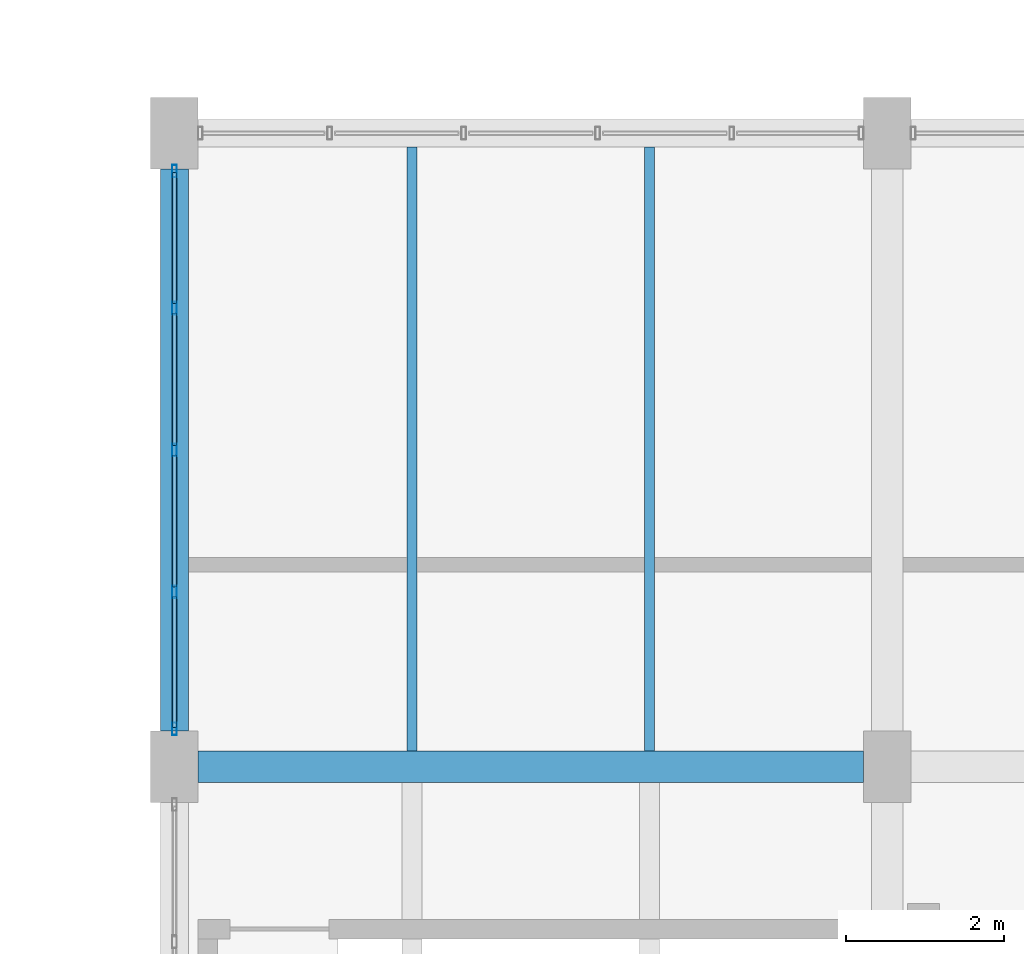
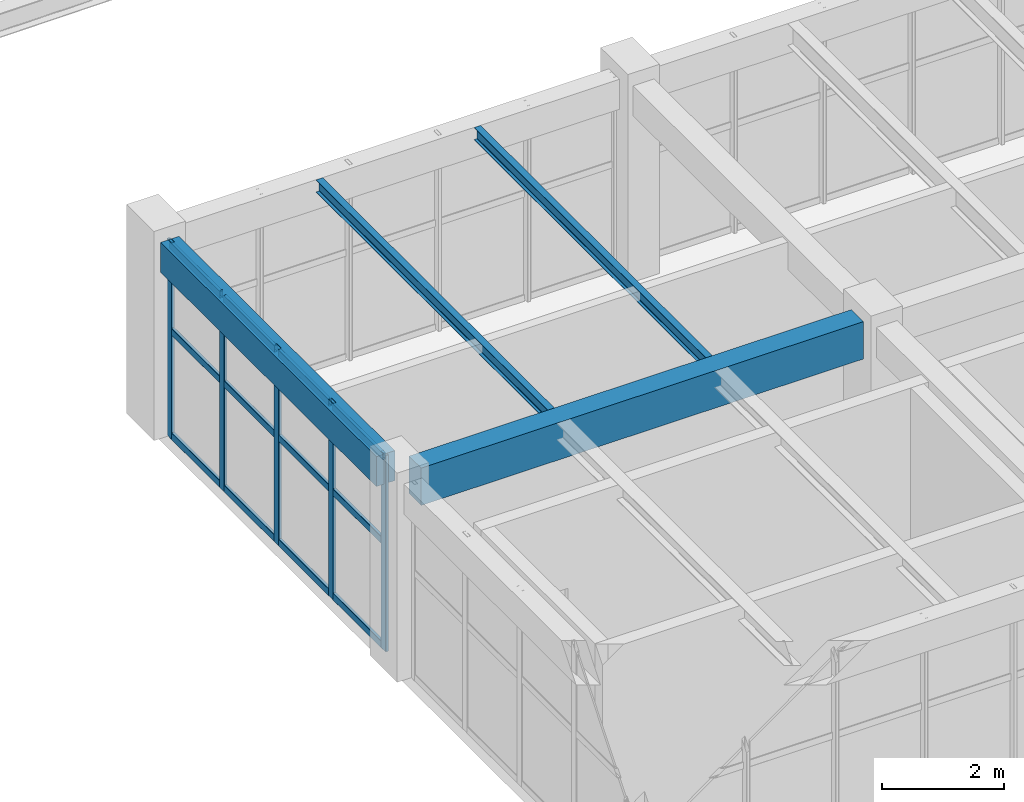
# One storey, part 11 of 148: 17 members, 4 beams, 1 element without a shape of its own.
"""IFC4 building model written with IfcOpenShell, lengths in metres."""

from ifc_helpers import new_model, si_unit, derived_unit, direction, frame, origin, origin_2d, place, context, subcontext, project, spatial, rectangle, hollow_rectangle, i_section, extrude, material, material_profile, profile_set, type_object, element, aggregate, save


model = new_model("IFC4")

# Units and contexts
model_context = context("Model", 3, precision=1e-05, world=origin(), true_north=direction((0.0, 1.0)))
body_context = subcontext(model_context, "Body", "Model", "MODEL_VIEW")
ifc_project = project(units=[si_unit("LENGTHUNIT", "METRE"), si_unit("AREAUNIT", "SQUARE_METRE"), si_unit("VOLUMEUNIT", "CUBIC_METRE"), si_unit("PLANEANGLEUNIT", "RADIAN"), si_unit("MASSUNIT", "GRAM", prefix="KILO"), derived_unit("THERMALTRANSMITTANCEUNIT", [(si_unit("MASSUNIT", "GRAM", prefix="KILO"), 1), (si_unit("TIMEUNIT", "SECOND"), -3), (si_unit("THERMODYNAMICTEMPERATUREUNIT", "KELVIN"), -1)])], contexts=[model_context])

# Site, building, storey
site_placement = place(None, origin())
site = spatial("IfcSite", under=ifc_project, at=site_placement, CompositionType="ELEMENT")
building_placement = place(site_placement, origin())
building = spatial("IfcBuilding", under=site, at=building_placement, Name="Zhenchuan Archway Interchange", CompositionType="ELEMENT")
storey_placement = place(building_placement, frame((0.0, 0.0, 10.199951171875)))
storey = spatial("IfcBuildingStorey", under=building, at=storey_placement, Name="L02", CompositionType="ELEMENT", Elevation=10.199951171875)

# Beam
ifc_material_1 = material(Name="Concrete C40", Category="concrete")
ifc_material_profile_1 = material_profile(ifc_material_1, rectangle(XDim=0.39990234375, YDim=0.75, at=origin_2d()), Name="RC 400x750")
ifc_profile_set_1 = profile_set([ifc_material_profile_1], Name="Concrete C40")
beam_type_1 = type_object("IfcBeamType", Name="BM_RC_400x750", PredefinedType="BEAM", material=ifc_profile_set_1)
beam_1_placement = place(storey_placement, frame((0.300048828125, 8.0, 3.56494140625), z_axis=(1.0, 0.0, 0.0), x_axis=(0.0, 1.0, 0.0)))
element("IfcBeam", 1, at=beam_1_placement, inside=storey, type_object=beam_type_1, Name="Beam B:1-2 (L02)", PredefinedType="BEAM", context=body_context, shape_type="SweptSolid", body=[
    extrude(rectangle(XDim=0.39990234375, YDim=0.75, at=origin_2d()), origin(), (0.0, 0.0, 1.0), 8.39990234375),
])

# Curtain wall, members
ifc_material_2 = material(Name="Anodised Aluminium", Category="aluminium")
curtain_wall_type = type_object("IfcCurtainWallType", Name="CW_UNIT_3", PredefinedType="NOTDEFINED", material=ifc_material_2)
curtain_wall_placement = place(storey_placement, origin())
curtain_wall = element("IfcCurtainWall", 2, at=curtain_wall_placement, inside=storey, type_object=curtain_wall_type, Name="Unitised curtain wall CW:L02:110", PredefinedType="NOTDEFINED")
ifc_material_profile_2 = material_profile(ifc_material_2, hollow_rectangle(XDim=0.06005859375, YDim=0.159912109375, WallThickness=0.00390625, InnerFilletRadius=0.00390625, OuterFilletRadius=0.008056640625, at=origin_2d()), Name="ALU 160x60x4")
ifc_profile_set_2 = profile_set([ifc_material_profile_2], Name="Anodised Aluminium")
member_type_1 = type_object("IfcMemberType", Name="CW_MUL_150", PredefinedType="MULLION", material=ifc_profile_set_2)
member_1_placement = place(storey_placement, frame((0.0, 8.47802734375, 0.0), z_axis=(0.0, 0.0, 1.0), x_axis=(1.0, 0.0, 0.0)))
member_1 = element("IfcMember", 3, at=member_1_placement, type_object=member_type_1, Name="CW:L02:110 mullion 0", PredefinedType="MULLION", context=body_context, shape_type="SweptSolid", body=[
    extrude(hollow_rectangle(XDim=0.06005859375, YDim=0.159912109375, WallThickness=0.00390625, InnerFilletRadius=0.00390625, OuterFilletRadius=0.008056640625, at=origin_2d()), origin(), (0.0, 0.0, 1.0), 3.93994140625),
])
member_2_placement = place(storey_placement, frame((0.0, 10.208984375, 0.0), z_axis=(0.0, 0.0, 1.0), x_axis=(1.0, 0.0, 0.0)))
member_2 = element("IfcMember", 4, at=member_2_placement, type_object=member_type_1, Name="CW:L02:110 mullion 1", PredefinedType="MULLION", context=body_context, shape_type="SweptSolid", body=[
    extrude(hollow_rectangle(XDim=0.06005859375, YDim=0.159912109375, WallThickness=0.00390625, InnerFilletRadius=0.00390625, OuterFilletRadius=0.008056640625, at=origin_2d()), origin(), (0.0, 0.0, 1.0), 3.93994140625),
])
member_3_placement = place(storey_placement, frame((0.0, 12.0, 0.0), z_axis=(0.0, 0.0, 1.0), x_axis=(1.0, 0.0, 0.0)))
member_3 = element("IfcMember", 5, at=member_3_placement, type_object=member_type_1, Name="CW:L02:110 mullion 2", PredefinedType="MULLION", context=body_context, shape_type="SweptSolid", body=[
    extrude(hollow_rectangle(XDim=0.06005859375, YDim=0.159912109375, WallThickness=0.00390625, InnerFilletRadius=0.00390625, OuterFilletRadius=0.008056640625, at=origin_2d()), origin(), (0.0, 0.0, 1.0), 3.93994140625),
])
member_4_placement = place(storey_placement, frame((0.0, 13.791015625, 0.0), z_axis=(0.0, 0.0, 1.0), x_axis=(1.0, 0.0, 0.0)))
member_4 = element("IfcMember", 6, at=member_4_placement, type_object=member_type_1, Name="CW:L02:110 mullion 3", PredefinedType="MULLION", context=body_context, shape_type="SweptSolid", body=[
    extrude(hollow_rectangle(XDim=0.06005859375, YDim=0.159912109375, WallThickness=0.00390625, InnerFilletRadius=0.00390625, OuterFilletRadius=0.008056640625, at=origin_2d()), origin(), (0.0, 0.0, 1.0), 3.93994140625),
])
member_5_placement = place(storey_placement, frame((0.0, 15.52197265625, 0.0), z_axis=(0.0, 0.0, 1.0), x_axis=(1.0, 0.0, 0.0)))
member_5 = element("IfcMember", 7, at=member_5_placement, type_object=member_type_1, Name="CW:L02:110 mullion 4", PredefinedType="MULLION", context=body_context, shape_type="SweptSolid", body=[
    extrude(hollow_rectangle(XDim=0.06005859375, YDim=0.159912109375, WallThickness=0.00390625, InnerFilletRadius=0.00390625, OuterFilletRadius=0.008056640625, at=origin_2d()), origin(), (0.0, 0.0, 1.0), 3.93994140625),
])
ifc_material_profile_3 = material_profile(ifc_material_2, hollow_rectangle(XDim=0.06005859375, YDim=0.139892578125, WallThickness=0.00341796875, InnerFilletRadius=0.00341796875, OuterFilletRadius=0.007080078125, at=origin_2d()), Name="ALU 140x60x3.5")
ifc_profile_set_3 = profile_set([ifc_material_profile_3], Name="Anodised Aluminium")
member_type_2 = type_object("IfcMemberType", Name="CW_TRN_140", PredefinedType="USERDEFINED", material=ifc_profile_set_3)
member_6_placement = place(storey_placement, frame((0.0, 8.498046875, 0.06005859375), z_axis=(0.0, 1.0, 0.0), x_axis=(-1.0, 0.0, 0.0)))
member_6 = element("IfcMember", 8, at=member_6_placement, type_object=member_type_2, Name="CW:L02:110 transom 0-1", ObjectType="TRANSOM", PredefinedType="USERDEFINED", context=body_context, shape_type="SweptSolid", body=[
    extrude(hollow_rectangle(XDim=0.06005859375, YDim=0.139892578125, WallThickness=0.00341796875, InnerFilletRadius=0.00341796875, OuterFilletRadius=0.007080078125, at=origin_2d()), origin(), (0.0, 0.0, 1.0), 1.65087890625),
])
member_7_placement = place(storey_placement, frame((0.0, 8.498046875, 2.156005859375), z_axis=(0.0, 1.0, 0.0), x_axis=(-1.0, 0.0, 0.0)))
member_7 = element("IfcMember", 9, at=member_7_placement, type_object=member_type_2, Name="CW:L02:110 transom 0-2", ObjectType="TRANSOM", PredefinedType="USERDEFINED", context=body_context, shape_type="SweptSolid", body=[
    extrude(hollow_rectangle(XDim=0.06005859375, YDim=0.139892578125, WallThickness=0.00341796875, InnerFilletRadius=0.00341796875, OuterFilletRadius=0.007080078125, at=origin_2d()), origin(), (0.0, 0.0, 1.0), 1.65087890625),
])
member_8_placement = place(storey_placement, frame((0.0, 8.498046875, 3.860107421875), z_axis=(0.0, 1.0, 0.0), x_axis=(-1.0, 0.0, 0.0)))
member_8 = element("IfcMember", 10, at=member_8_placement, type_object=member_type_2, Name="CW:L02:110 transom 0-3", ObjectType="TRANSOM", PredefinedType="USERDEFINED", context=body_context, shape_type="SweptSolid", body=[
    extrude(hollow_rectangle(XDim=0.06005859375, YDim=0.139892578125, WallThickness=0.00341796875, InnerFilletRadius=0.00341796875, OuterFilletRadius=0.007080078125, at=origin_2d()), origin(), (0.0, 0.0, 1.0), 1.65087890625),
])
member_9_placement = place(storey_placement, frame((0.0, 10.26904296875, 0.06005859375), z_axis=(0.0, 1.0, 0.0), x_axis=(-1.0, 0.0, 0.0)))
member_9 = element("IfcMember", 11, at=member_9_placement, type_object=member_type_2, Name="CW:L02:110 transom 1-1", ObjectType="TRANSOM", PredefinedType="USERDEFINED", context=body_context, shape_type="SweptSolid", body=[
    extrude(hollow_rectangle(XDim=0.06005859375, YDim=0.139892578125, WallThickness=0.00341796875, InnerFilletRadius=0.00341796875, OuterFilletRadius=0.007080078125, at=origin_2d()), origin(), (0.0, 0.0, 1.0), 1.6708984375),
])
member_10_placement = place(storey_placement, frame((0.0, 10.26904296875, 2.156005859375), z_axis=(0.0, 1.0, 0.0), x_axis=(-1.0, 0.0, 0.0)))
member_10 = element("IfcMember", 12, at=member_10_placement, type_object=member_type_2, Name="CW:L02:110 transom 1-2", ObjectType="TRANSOM", PredefinedType="USERDEFINED", context=body_context, shape_type="SweptSolid", body=[
    extrude(hollow_rectangle(XDim=0.06005859375, YDim=0.139892578125, WallThickness=0.00341796875, InnerFilletRadius=0.00341796875, OuterFilletRadius=0.007080078125, at=origin_2d()), origin(), (0.0, 0.0, 1.0), 1.6708984375),
])
member_11_placement = place(storey_placement, frame((0.0, 10.26904296875, 3.860107421875), z_axis=(0.0, 1.0, 0.0), x_axis=(-1.0, 0.0, 0.0)))
member_11 = element("IfcMember", 13, at=member_11_placement, type_object=member_type_2, Name="CW:L02:110 transom 1-3", ObjectType="TRANSOM", PredefinedType="USERDEFINED", context=body_context, shape_type="SweptSolid", body=[
    extrude(hollow_rectangle(XDim=0.06005859375, YDim=0.139892578125, WallThickness=0.00341796875, InnerFilletRadius=0.00341796875, OuterFilletRadius=0.007080078125, at=origin_2d()), origin(), (0.0, 0.0, 1.0), 1.6708984375),
])
member_12_placement = place(storey_placement, frame((0.0, 12.06005859375, 0.06005859375), z_axis=(0.0, 1.0, 0.0), x_axis=(-1.0, 0.0, 0.0)))
member_12 = element("IfcMember", 14, at=member_12_placement, type_object=member_type_2, Name="CW:L02:110 transom 2-1", ObjectType="TRANSOM", PredefinedType="USERDEFINED", context=body_context, shape_type="SweptSolid", body=[
    extrude(hollow_rectangle(XDim=0.06005859375, YDim=0.139892578125, WallThickness=0.00341796875, InnerFilletRadius=0.00341796875, OuterFilletRadius=0.007080078125, at=origin_2d()), origin(), (0.0, 0.0, 1.0), 1.6708984375),
])
member_13_placement = place(storey_placement, frame((0.0, 12.06005859375, 2.156005859375), z_axis=(0.0, 1.0, 0.0), x_axis=(-1.0, 0.0, 0.0)))
member_13 = element("IfcMember", 15, at=member_13_placement, type_object=member_type_2, Name="CW:L02:110 transom 2-2", ObjectType="TRANSOM", PredefinedType="USERDEFINED", context=body_context, shape_type="SweptSolid", body=[
    extrude(hollow_rectangle(XDim=0.06005859375, YDim=0.139892578125, WallThickness=0.00341796875, InnerFilletRadius=0.00341796875, OuterFilletRadius=0.007080078125, at=origin_2d()), origin(), (0.0, 0.0, 1.0), 1.6708984375),
])
member_14_placement = place(storey_placement, frame((0.0, 12.06005859375, 3.860107421875), z_axis=(0.0, 1.0, 0.0), x_axis=(-1.0, 0.0, 0.0)))
member_14 = element("IfcMember", 16, at=member_14_placement, type_object=member_type_2, Name="CW:L02:110 transom 2-3", ObjectType="TRANSOM", PredefinedType="USERDEFINED", context=body_context, shape_type="SweptSolid", body=[
    extrude(hollow_rectangle(XDim=0.06005859375, YDim=0.139892578125, WallThickness=0.00341796875, InnerFilletRadius=0.00341796875, OuterFilletRadius=0.007080078125, at=origin_2d()), origin(), (0.0, 0.0, 1.0), 1.6708984375),
])
member_15_placement = place(storey_placement, frame((0.0, 13.85107421875, 0.06005859375), z_axis=(0.0, 1.0, 0.0), x_axis=(-1.0, 0.0, 0.0)))
member_15 = element("IfcMember", 17, at=member_15_placement, type_object=member_type_2, Name="CW:L02:110 transom 3-1", ObjectType="TRANSOM", PredefinedType="USERDEFINED", context=body_context, shape_type="SweptSolid", body=[
    extrude(hollow_rectangle(XDim=0.06005859375, YDim=0.139892578125, WallThickness=0.00341796875, InnerFilletRadius=0.00341796875, OuterFilletRadius=0.007080078125, at=origin_2d()), origin(), (0.0, 0.0, 1.0), 1.65087890625),
])
member_16_placement = place(storey_placement, frame((0.0, 13.85107421875, 2.156005859375), z_axis=(0.0, 1.0, 0.0), x_axis=(-1.0, 0.0, 0.0)))
member_16 = element("IfcMember", 18, at=member_16_placement, type_object=member_type_2, Name="CW:L02:110 transom 3-2", ObjectType="TRANSOM", PredefinedType="USERDEFINED", context=body_context, shape_type="SweptSolid", body=[
    extrude(hollow_rectangle(XDim=0.06005859375, YDim=0.139892578125, WallThickness=0.00341796875, InnerFilletRadius=0.00341796875, OuterFilletRadius=0.007080078125, at=origin_2d()), origin(), (0.0, 0.0, 1.0), 1.65087890625),
])
member_17_placement = place(storey_placement, frame((0.0, 13.85107421875, 3.860107421875), z_axis=(0.0, 1.0, 0.0), x_axis=(-1.0, 0.0, 0.0)))
member_17 = element("IfcMember", 19, at=member_17_placement, type_object=member_type_2, Name="CW:L02:110 transom 3-3", ObjectType="TRANSOM", PredefinedType="USERDEFINED", context=body_context, shape_type="SweptSolid", body=[
    extrude(hollow_rectangle(XDim=0.06005859375, YDim=0.139892578125, WallThickness=0.00341796875, InnerFilletRadius=0.00341796875, OuterFilletRadius=0.007080078125, at=origin_2d()), origin(), (0.0, 0.0, 1.0), 1.65087890625),
])
aggregate(curtain_wall, [member_1, member_2, member_3, member_4, member_5, member_6, member_7, member_8, member_9, member_10, member_11, member_12, member_13, member_14, member_15, member_16, member_17])

# Beams
ifc_material_3 = material(Name="Steel Q355", Category="steel")
ifc_material_profile_4 = material_profile(ifc_material_3, i_section(OverallWidth=0.125, OverallDepth=0.25, WebThickness=0.006103515625, FlangeThickness=0.009033203125, FilletRadius=0.011962890625, at=origin_2d()), Name="HN 250x125")
ifc_profile_set_4 = profile_set([ifc_material_profile_4], Name="Steel Q355")
beam_type_2 = type_object("IfcBeamType", Name="JST_STL_HN250", PredefinedType="JOIST", material=ifc_profile_set_4)
for number, where, z_axis, x_axis, name in (
    (20, (3.0, 8.199951171875, 3.81494140625), (0.0, 1.0, 0.0), (-1.0, 0.0, 0.0), "Secondary joist 1-2/B-C #1 (L02)"),
    (21, (6.0, 8.199951171875, 3.81494140625), (0.0, 1.0, 0.0), (-1.0, 0.0, 0.0), "Secondary joist 1-2/B-C #2 (L02)"),
):
    element("IfcBeam", number, at=place(storey_placement, frame(where, z_axis=z_axis, x_axis=x_axis)), inside=storey, type_object=beam_type_2, Name=name, PredefinedType="JOIST", context=body_context, shape_type="SweptSolid", body=[
        extrude(i_section(OverallWidth=0.125, OverallDepth=0.25, WebThickness=0.006103515625, FlangeThickness=0.009033203125, FilletRadius=0.011962890625, at=origin_2d()), origin(), (0.0, 0.0, 1.0), 7.625),
    ])
ifc_material_profile_5 = material_profile(ifc_material_1, rectangle(XDim=0.35009765625, YDim=0.60009765625, at=origin_2d()), Name="RC 350x600")
ifc_profile_set_5 = profile_set([ifc_material_profile_5], Name="Concrete C40")
beam_type_3 = type_object("IfcBeamType", Name="SP_RC_350x600", PredefinedType="SPANDREL", material=ifc_profile_set_5)
beam_2_placement = place(storey_placement, frame((0.0, 8.449951171875, 3.64013671875), z_axis=(0.0, 1.0, 0.0), x_axis=(-1.0, 0.0, 0.0)))
element("IfcBeam", 22, at=beam_2_placement, inside=storey, type_object=beam_type_3, Name="Beam 1:B-C (L02)", PredefinedType="SPANDREL", context=body_context, shape_type="SweptSolid", body=[
    extrude(rectangle(XDim=0.35009765625, YDim=0.60009765625, at=origin_2d()), origin(), (0.0, 0.0, 1.0), 7.10009765625),
])

save(model, "model.ifc")
